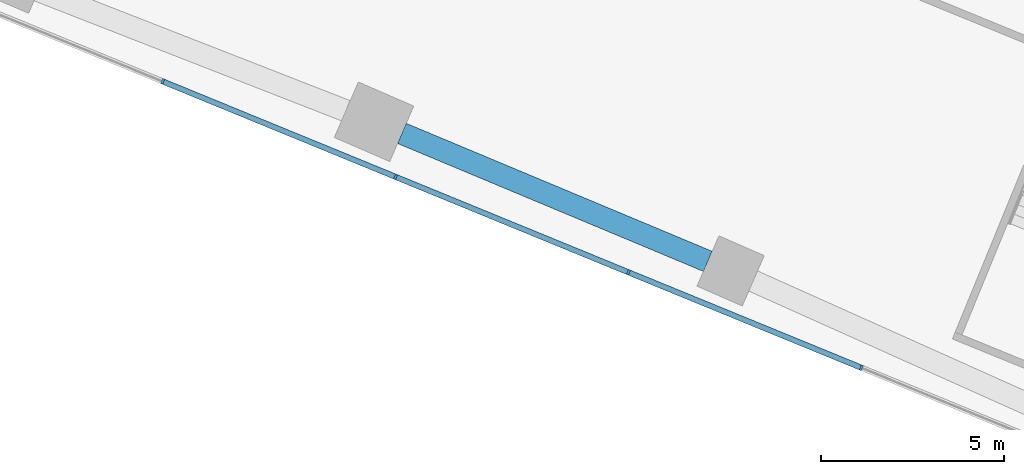
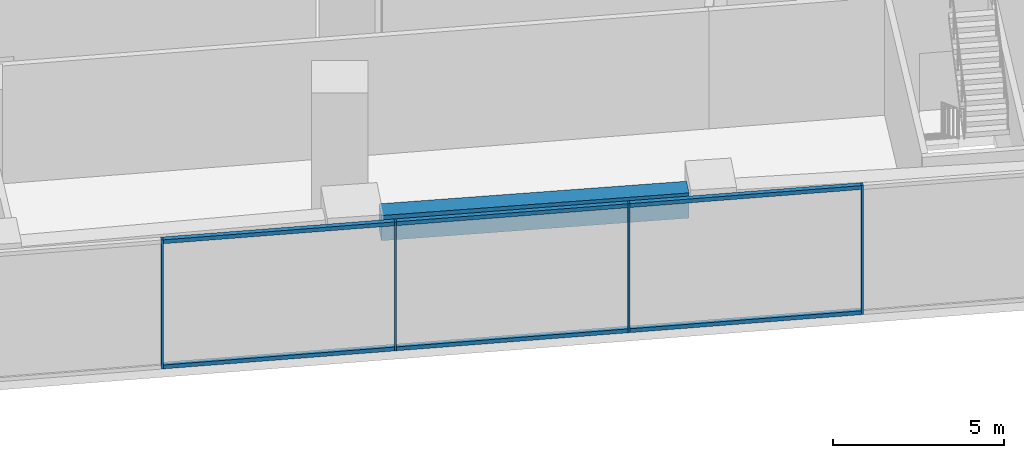
# One storey, part 2 of 40: 10 members, 1 beam, 1 element without a shape of its own.
"""IFC4 building model written with IfcOpenShell, lengths in metres."""

import ifcopenshell
import ifcopenshell.guid

model = None  # the IFC model being written
_history = None  # IfcOwnerHistory: only IFC2X3 demands one
_inside = {}  # id of a spatial element -> (the spatial element, [elements in it])
_under = {}  # id of a project, library or spatial element -> (it, [spatial elements below it])
_declared = {}  # id of a project -> (the project, [libraries it declares])
_typed = {}  # id of a type object -> (the type object, [elements of that type])
_made_of = {}  # id of a material, layer set ... -> (it, [elements and type objects made of it])


def new_model(schema):
    """Start an empty IFC model of exactly this schema.

    Asked for "IFC4X3", IfcOpenShell would pick the latest addendum, in which some entities
    have other attributes; the version numbers below select the first issue.
    IFC2X3 requires an IfcOwnerHistory on every rooted entity: one is made here for all.
    """
    global model, _history
    if schema == "IFC4X3":
        model = ifcopenshell.file(schema_version=(4, 3, 0, 0))
    else:
        model = ifcopenshell.file(schema=schema)
    _inside.clear()
    _under.clear()
    _declared.clear()
    _typed.clear()
    _made_of.clear()
    _history = None
    if model.schema == "IFC2X3":
        org = make("IfcOrganization", Name="unknown")
        user = make(
            "IfcPersonAndOrganization",
            ThePerson=make("IfcPerson", FamilyName="unknown"),
            TheOrganization=org,
        )
        app = make(
            "IfcApplication",
            ApplicationDeveloper=org,
            Version="unknown",
            ApplicationFullName="unknown",
            ApplicationIdentifier="unknown",
        )
        _history = make(
            "IfcOwnerHistory",
            OwningUser=user,
            OwningApplication=app,
            ChangeAction="ADDED",
            CreationDate=0,
        )
    return model


def make(cls, **values):
    """One entity of the class cls with the attributes given. An attribute that is None is left unset."""
    return model.create_entity(
        cls, **{name: value for name, value in values.items() if value is not None}
    )


def rooted(cls, **values):
    """An entity with a GlobalId (a new one), such as an element, a storey or a relation."""
    return make(cls, GlobalId=ifcopenshell.guid.new(), OwnerHistory=_history, **values)


def si_unit(unit_type, name, prefix=None):
    """IfcSIUnit, for example si_unit("LENGTHUNIT", "METRE", prefix="MILLI")."""
    return make("IfcSIUnit", UnitType=unit_type, Prefix=prefix, Name=name)


def assignment(units):
    """IfcUnitAssignment: the units of a project."""
    return None if units is None else make("IfcUnitAssignment", Units=units)


def point(xyz):
    """IfcCartesianPoint."""
    return None if xyz is None else make("IfcCartesianPoint", Coordinates=xyz)


def direction(xyz):
    """IfcDirection."""
    return None if xyz is None else make("IfcDirection", DirectionRatios=xyz)


def frame(location, z_axis=None, x_axis=None):
    """IfcAxis2Placement3D, a coordinate frame: its origin and axes. An axis left out is left unset."""
    return make(
        "IfcAxis2Placement3D",
        Location=point(location),
        Axis=direction(z_axis),
        RefDirection=direction(x_axis),
    )


def frame_2d(location, x_axis=None):
    """IfcAxis2Placement2D, a coordinate frame in the plane: its origin and x axis."""
    return make(
        "IfcAxis2Placement2D", Location=point(location), RefDirection=direction(x_axis)
    )


def origin():
    """The frame at (0, 0, 0) with its axes left unset."""
    return frame((0.0, 0.0, 0.0))


def origin_2d():
    """The frame at (0, 0) in the plane with its x axis left unset."""
    return frame_2d((0.0, 0.0))


def place(relative_to, where):
    """IfcLocalPlacement: puts the frame where relative to a parent placement (None: the world)."""
    return make(
        "IfcLocalPlacement", PlacementRelTo=relative_to, RelativePlacement=where
    )


def context(
    kind, dimensions, precision=None, world=None, true_north=None, identifier=None
):
    """IfcGeometricRepresentationContext, for example the 3D "Model" context."""
    return make(
        "IfcGeometricRepresentationContext",
        ContextIdentifier=identifier,
        ContextType=kind,
        CoordinateSpaceDimension=dimensions,
        Precision=precision,
        WorldCoordinateSystem=world,
        TrueNorth=true_north,
    )


def subcontext(parent, identifier, kind, view, scale=None):
    """IfcGeometricRepresentationSubContext, for example "Body" below "Model"."""
    return make(
        "IfcGeometricRepresentationSubContext",
        ContextIdentifier=identifier,
        ContextType=kind,
        ParentContext=parent,
        TargetScale=scale,
        TargetView=view,
    )


def project(units=None, contexts=None):
    """IfcProject with its units and contexts."""
    return rooted(
        "IfcProject",
        Name="project",
        RepresentationContexts=contexts,
        UnitsInContext=assignment(units),
    )


def spatial(cls, under=None, at=None, **own):
    """A site, building, storey or space (cls), placed at a placement, below another one or the project."""
    s = rooted(cls, ObjectPlacement=at, **own)
    if under is not None:
        _under.setdefault(under.id(), (under, []))[1].append(s)
    return s


def profile(cls, at=None, kind="AREA", **sizes):
    """A parametric profile (cls). Its sizes go by their IFC names, for example OverallWidth=200.0."""
    return make(cls, ProfileType=kind, Position=at, **sizes)


def rectangle(**sizes):
    """IfcRectangleProfileDef."""
    return profile("IfcRectangleProfileDef", **sizes)


def extrude(swept, where, along, depth):
    """IfcExtrudedAreaSolid: the profile swept, set in the frame where, extruded along a direction by depth."""
    return make(
        "IfcExtrudedAreaSolid",
        SweptArea=swept,
        Position=where,
        ExtrudedDirection=direction(along),
        Depth=depth,
    )


def shape(context_of_items, identifier, shape_type, items):
    """IfcShapeRepresentation: the items that make up one representation, for example the "Body"."""
    return make(
        "IfcShapeRepresentation",
        ContextOfItems=context_of_items,
        RepresentationIdentifier=identifier,
        RepresentationType=shape_type,
        Items=items,
    )


def material(Name=None, Category=None):
    """IfcMaterial."""
    return make("IfcMaterial", Name=Name, Category=Category)


def layer(
    of_material, thickness, ventilated=None, Name=None, Category=None, Priority=None
):
    """IfcMaterialLayer: one layer of a wall or slab, of a material (None: an air gap)."""
    return make(
        "IfcMaterialLayer",
        Material=of_material,
        LayerThickness=thickness,
        IsVentilated=ventilated,
        Name=Name,
        Category=Category,
        Priority=Priority,
    )


def layer_set(layers, Name=None):
    """IfcMaterialLayerSet."""
    return make("IfcMaterialLayerSet", MaterialLayers=layers, LayerSetName=Name)


def material_profile(
    of_material, cross_section, Name=None, Category=None, Priority=None
):
    """IfcMaterialProfile: a cross section and its material."""
    return make(
        "IfcMaterialProfile",
        Name=Name,
        Material=of_material,
        Profile=cross_section,
        Priority=Priority,
        Category=Category,
    )


def profile_set(profiles, Name=None, composite=None):
    """IfcMaterialProfileSet."""
    return make(
        "IfcMaterialProfileSet",
        Name=Name,
        MaterialProfiles=profiles,
        CompositeProfile=composite,
    )


def made_of(thing, what):
    """Note that an element or type object is made of a material, layer set ...; save() writes the relation."""
    if what is not None:
        _made_of.setdefault(what.id(), (what, []))[1].append(thing)
    return thing


def type_object(cls, material=None, **own):
    """A type object (cls), such as IfcWallType, which elements share."""
    return made_of(rooted(cls, **own), material)


def element(
    cls,
    number,
    at=None,
    inside=None,
    cuts=None,
    type_object=None,
    material=None,
    context=None,
    identifier="Body",
    shape_type=None,
    held_by="IfcProductDefinitionShape",
    body=None,
    shapes=None,
    **own,
):
    """One element of the class cls, such as IfcWall. Its Tag is "e" and its number.

    at: its placement. inside: the storey or other place that contains it. cuts: it is an
    opening in that element (IfcRelVoidsElement). A single representation is given by context,
    identifier, shape_type and body (its items); several are given by shapes. held_by: the class
    of the entity that holds the representations. save() writes the other relations.
    """
    e = rooted(cls, Tag="e%d" % number, ObjectPlacement=at, **own)
    if body is not None:
        shapes = [shape(context, identifier, shape_type, body)]
    if shapes is not None:
        e.Representation = make(held_by, Representations=shapes)
    if inside is not None:
        _inside.setdefault(inside.id(), (inside, []))[1].append(e)
    if cuts is not None:
        rooted(
            "IfcRelVoidsElement", RelatingBuildingElement=cuts, RelatedOpeningElement=e
        )
    if type_object is not None:
        _typed.setdefault(type_object.id(), (type_object, []))[1].append(e)
    return made_of(e, material)


def aggregate(whole, parts):
    """IfcRelAggregates: a whole, such as a stair, and the parts it consists of."""
    return rooted("IfcRelAggregates", RelatingObject=whole, RelatedObjects=parts)


def save(model, path):
    """Write the relations noted so far, then the file.

    IfcRelAggregates (storeys below a building ...), IfcRelContainedInSpatialStructure (elements
    in a storey), IfcRelDefinesByType, IfcRelAssociatesMaterial and IfcRelDeclares: one each for
    every whole, place, type object, material and project.
    """
    for whole, parts in _under.values():
        aggregate(whole, parts)
    for where, things in _inside.values():
        rooted(
            "IfcRelContainedInSpatialStructure",
            RelatedElements=things,
            RelatingStructure=where,
        )
    for kind, things in _typed.values():
        rooted("IfcRelDefinesByType", RelatedObjects=things, RelatingType=kind)
    for what, things in _made_of.values():
        rooted("IfcRelAssociatesMaterial", RelatedObjects=things, RelatingMaterial=what)
    for by, libraries in _declared.values():
        rooted("IfcRelDeclares", RelatingContext=by, RelatedDefinitions=libraries)
    model.write(path)


model = new_model("IFC4")

# Units and contexts
model_context = context("Model", 3, precision=1e-05, world=origin(), true_north=direction((0.0, 1.0)))
body_context = subcontext(model_context, "Body", "Model", "MODEL_VIEW")
ifc_project = project(units=[si_unit("LENGTHUNIT", "METRE"), si_unit("AREAUNIT", "SQUARE_METRE"), si_unit("VOLUMEUNIT", "CUBIC_METRE"), si_unit("PLANEANGLEUNIT", "RADIAN"), si_unit("MASSUNIT", "GRAM", prefix="KILO")], contexts=[model_context])

# Site, building, storey
site_placement = place(None, origin())
site = spatial("IfcSite", under=ifc_project, at=site_placement, CompositionType="ELEMENT")
building_placement = place(site_placement, origin())
building = spatial("IfcBuilding", under=site, at=building_placement, Name="Stone Belt Terrace Tower", CompositionType="ELEMENT")
storey_placement = place(building_placement, frame((0.0, 0.0, 7.0)))
storey = spatial("IfcBuildingStorey", under=building, at=storey_placement, Name="L01", CompositionType="ELEMENT", Elevation=7.0)

# Curtain wall, members
ifc_material_1 = material(Name="Aluminium 6063-T6 anodised frame", Category="aluminium")
ifc_layer = layer(ifc_material_1, 0.14990234375)
ifc_layer_set = layer_set([ifc_layer], Name="CW-D podium shopfront")
curtain_wall_type = type_object("IfcCurtainWallType", Name="CW-D podium shopfront", PredefinedType="NOTDEFINED", material=ifc_layer_set)
curtain_wall_placement = place(storey_placement, origin())
curtain_wall = element("IfcCurtainWall", 1, at=curtain_wall_placement, inside=storey, type_object=curtain_wall_type, Name="CW-D end face L01", PredefinedType="NOTDEFINED")
ifc_material_profile_1 = material_profile(ifc_material_1, rectangle(XDim=0.14990234375, YDim=0.06005859375, at=origin_2d()), Name="Aluminium 6063-T6 60x150")
ifc_profile_set_1 = profile_set([ifc_material_profile_1], Name="Aluminium 6063-T6 anodised frame")
member_type_1 = type_object("IfcMemberType", Name="CW-D mullion 60 x 150", PredefinedType="MULLION", material=ifc_profile_set_1)
member_1_placement = place(storey_placement, frame((-56.240234375, 22.9697265625, 0.0), z_axis=(0.0, 0.0, 1.0), x_axis=(0.379243093825, 0.925297074342, 0.0)))
member_1 = element("IfcMember", 2, at=member_1_placement, type_object=member_type_1, Name="CW-D mullion 3", PredefinedType="MULLION", context=body_context, shape_type="SweptSolid", body=[
    extrude(rectangle(XDim=0.14990234375, YDim=0.06005859375, at=origin_2d()), origin(), (0.0, 0.0, 1.0), 4.60009765625),
])
member_2_placement = place(storey_placement, frame((-49.87890625, 20.3623046875, 0.0), z_axis=(0.0, 0.0, 1.0), x_axis=(0.379243093825, 0.925297074342, 0.0)))
member_2 = element("IfcMember", 3, at=member_2_placement, type_object=member_type_1, Name="CW-D mullion 4", PredefinedType="MULLION", context=body_context, shape_type="SweptSolid", body=[
    extrude(rectangle(XDim=0.14990234375, YDim=0.06005859375, at=origin_2d()), origin(), (0.0, 0.0, 1.0), 4.60009765625),
])
member_3_placement = place(storey_placement, frame((-43.517333984375, 17.755126953125, 0.0), z_axis=(0.0, 0.0, 1.0), x_axis=(0.379243093825, 0.925297074342, 0.0)))
member_3 = element("IfcMember", 4, at=member_3_placement, type_object=member_type_1, Name="CW-D mullion 5", PredefinedType="MULLION", context=body_context, shape_type="SweptSolid", body=[
    extrude(rectangle(XDim=0.14990234375, YDim=0.06005859375, at=origin_2d()), origin(), (0.0, 0.0, 1.0), 4.60009765625),
])
member_4_placement = place(storey_placement, frame((-37.156005859375, 15.147705078125, 0.0), z_axis=(0.0, 0.0, 1.0), x_axis=(0.379243093825, 0.925297074342, 0.0)))
member_4 = element("IfcMember", 5, at=member_4_placement, type_object=member_type_1, Name="CW-D mullion 6", PredefinedType="MULLION", context=body_context, shape_type="SweptSolid", body=[
    extrude(rectangle(XDim=0.14990234375, YDim=0.06005859375, at=origin_2d()), origin(), (0.0, 0.0, 1.0), 4.60009765625),
])
ifc_material_profile_2 = material_profile(ifc_material_1, rectangle(XDim=0.14990234375, YDim=0.139892578125, at=origin_2d()), Name="Aluminium 6063-T6 150x140")
ifc_profile_set_2 = profile_set([ifc_material_profile_2], Name="Aluminium 6063-T6 anodised frame")
member_type_2 = type_object("IfcMemberType", Name="CW-D transom 140 x 150", PredefinedType="USERDEFINED", material=ifc_profile_set_2)
member_5_placement = place(storey_placement, frame((-56.21240234375, 22.958251953125, 0.070068359375), z_axis=(0.925300811022, -0.37923397675, 0.0), x_axis=(0.37923397675, 0.925300811022, 0.0)))
member_5 = element("IfcMember", 6, at=member_5_placement, type_object=member_type_2, Name="CW-D transom 3.1", ObjectType="TRANSOM", PredefinedType="USERDEFINED", context=body_context, shape_type="SweptSolid", body=[
    extrude(rectangle(XDim=0.14990234375, YDim=0.139892578125, at=origin_2d()), origin(), (0.0, 0.0, 1.0), 6.81494140625),
])
member_6_placement = place(storey_placement, frame((-56.21240234375, 22.958251953125, 4.530029296875), z_axis=(0.925300811022, -0.37923397675, 0.0), x_axis=(0.37923397675, 0.925300811022, 0.0)))
member_6 = element("IfcMember", 7, at=member_6_placement, type_object=member_type_2, Name="CW-D transom 3.2", ObjectType="TRANSOM", PredefinedType="USERDEFINED", context=body_context, shape_type="SweptSolid", body=[
    extrude(rectangle(XDim=0.14990234375, YDim=0.139892578125, at=origin_2d()), origin(), (0.0, 0.0, 1.0), 6.81494140625),
])
member_7_placement = place(storey_placement, frame((-49.85107421875, 20.350830078125, 0.070068359375), z_axis=(0.925300811022, -0.37923397675, 0.0), x_axis=(0.37923397675, 0.925300811022, 0.0)))
member_7 = element("IfcMember", 8, at=member_7_placement, type_object=member_type_2, Name="CW-D transom 4.1", ObjectType="TRANSOM", PredefinedType="USERDEFINED", context=body_context, shape_type="SweptSolid", body=[
    extrude(rectangle(XDim=0.14990234375, YDim=0.139892578125, at=origin_2d()), origin(), (0.0, 0.0, 1.0), 6.81494140625),
])
member_8_placement = place(storey_placement, frame((-49.85107421875, 20.350830078125, 4.530029296875), z_axis=(0.925300811022, -0.37923397675, 0.0), x_axis=(0.37923397675, 0.925300811022, 0.0)))
member_8 = element("IfcMember", 9, at=member_8_placement, type_object=member_type_2, Name="CW-D transom 4.2", ObjectType="TRANSOM", PredefinedType="USERDEFINED", context=body_context, shape_type="SweptSolid", body=[
    extrude(rectangle(XDim=0.14990234375, YDim=0.139892578125, at=origin_2d()), origin(), (0.0, 0.0, 1.0), 6.81494140625),
])
member_9_placement = place(storey_placement, frame((-43.48974609375, 17.74365234375, 0.070068359375), z_axis=(0.925300811022, -0.37923397675, 0.0), x_axis=(0.37923397675, 0.925300811022, 0.0)))
member_9 = element("IfcMember", 10, at=member_9_placement, type_object=member_type_2, Name="CW-D transom 5.1", ObjectType="TRANSOM", PredefinedType="USERDEFINED", context=body_context, shape_type="SweptSolid", body=[
    extrude(rectangle(XDim=0.14990234375, YDim=0.139892578125, at=origin_2d()), origin(), (0.0, 0.0, 1.0), 6.81494140625),
])
member_10_placement = place(storey_placement, frame((-43.48974609375, 17.74365234375, 4.530029296875), z_axis=(0.925300811022, -0.37923397675, 0.0), x_axis=(0.37923397675, 0.925300811022, 0.0)))
member_10 = element("IfcMember", 11, at=member_10_placement, type_object=member_type_2, Name="CW-D transom 5.2", ObjectType="TRANSOM", PredefinedType="USERDEFINED", context=body_context, shape_type="SweptSolid", body=[
    extrude(rectangle(XDim=0.14990234375, YDim=0.139892578125, at=origin_2d()), origin(), (0.0, 0.0, 1.0), 6.81494140625),
])
aggregate(curtain_wall, [member_1, member_2, member_3, member_4, member_5, member_6, member_7, member_8, member_9, member_10])

# Beam
ifc_material_2 = material(Name="Concrete B60", Category="concrete")
ifc_material_profile_3 = material_profile(ifc_material_2, rectangle(XDim=0.60009765625, YDim=0.89990234375, at=origin_2d()), Name="RC 600x900")
ifc_profile_set_3 = profile_set([ifc_material_profile_3], Name="Concrete B60")
beam_type = type_object("IfcBeamType", Name="Edge beam RC 600x900 B60", PredefinedType="SPANDREL", material=ifc_profile_set_3)
beam_placement = place(storey_placement, frame((-41.35009765625, 18.05517578125, 3.75), z_axis=(-0.922576038767, 0.385815309044, 0.0), x_axis=(-0.385815309044, -0.922576038767, 0.0)))
element("IfcBeam", 12, at=beam_placement, inside=storey, type_object=beam_type, Name="Edge beam L01 A P to Q", PredefinedType="SPANDREL", context=body_context, shape_type="SweptSolid", body=[
    extrude(rectangle(XDim=0.60009765625, YDim=0.89990234375, at=origin_2d()), origin(), (0.0, 0.0, 1.0), 9.055908203125),
])

save(model, "model.ifc")
